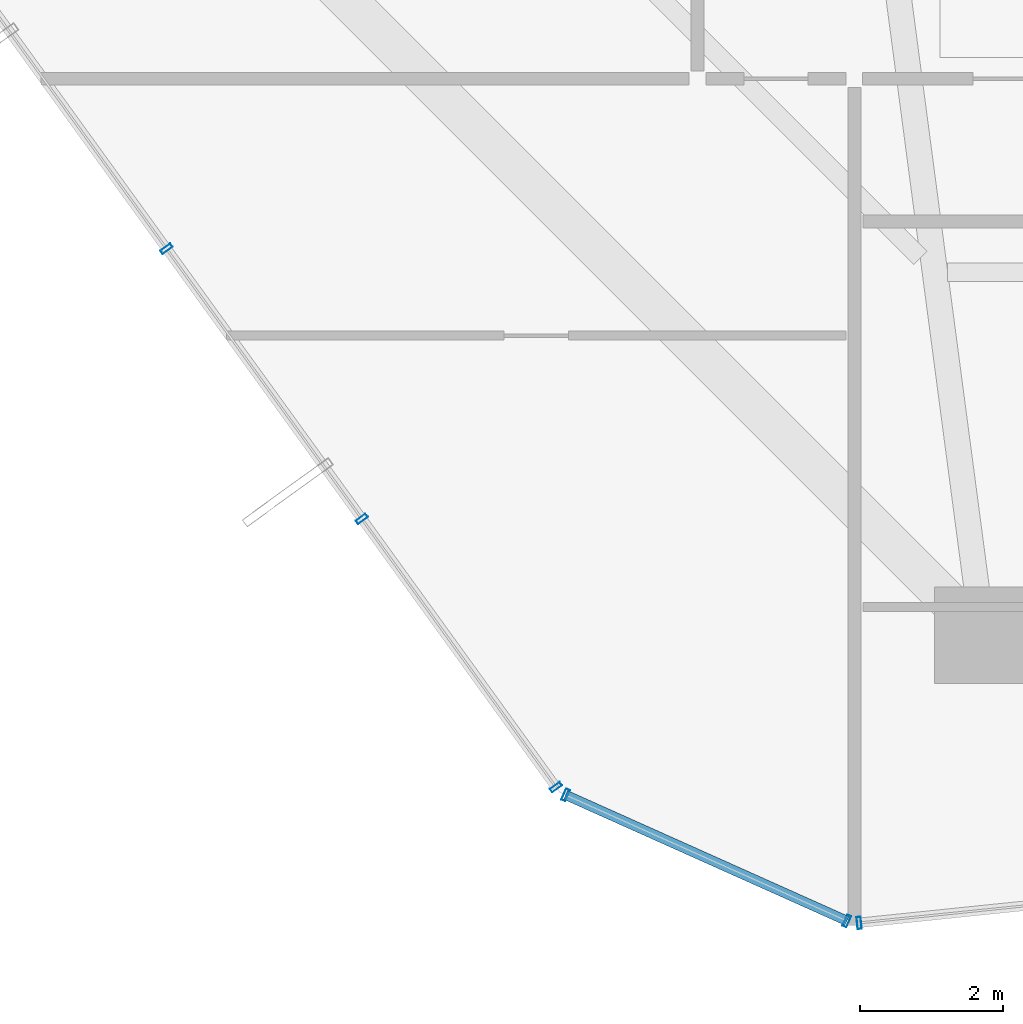
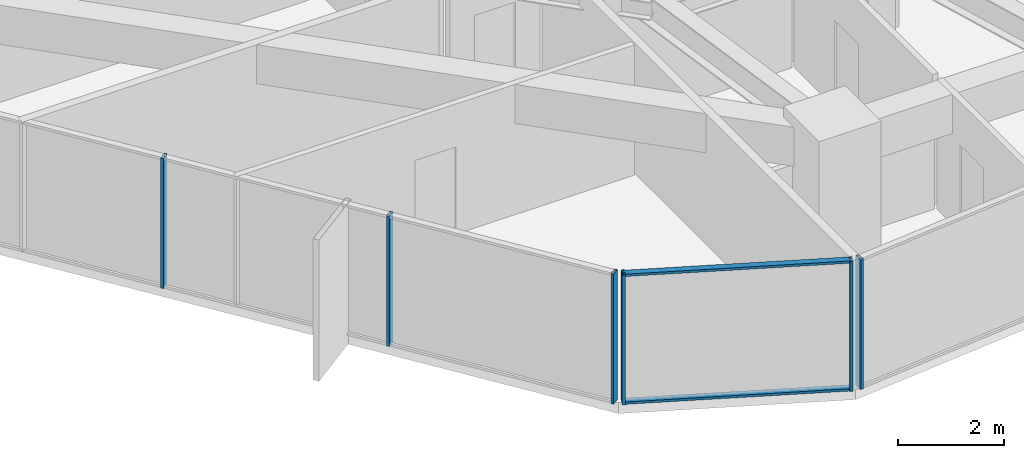
# One storey, part 2 of 37: 8 members, 3 elements without a shape of their own.
"""IFC4 building model written with IfcOpenShell, lengths in metres."""

import ifcopenshell
import ifcopenshell.guid

model = None  # the IFC model being written
_history = None  # IfcOwnerHistory: only IFC2X3 demands one
_inside = {}  # id of a spatial element -> (the spatial element, [elements in it])
_under = {}  # id of a project, library or spatial element -> (it, [spatial elements below it])
_declared = {}  # id of a project -> (the project, [libraries it declares])
_typed = {}  # id of a type object -> (the type object, [elements of that type])
_made_of = {}  # id of a material, layer set ... -> (it, [elements and type objects made of it])


def new_model(schema):
    """Start an empty IFC model of exactly this schema.

    Asked for "IFC4X3", IfcOpenShell would pick the latest addendum, in which some entities
    have other attributes; the version numbers below select the first issue.
    IFC2X3 requires an IfcOwnerHistory on every rooted entity: one is made here for all.
    """
    global model, _history
    if schema == "IFC4X3":
        model = ifcopenshell.file(schema_version=(4, 3, 0, 0))
    else:
        model = ifcopenshell.file(schema=schema)
    _inside.clear()
    _under.clear()
    _declared.clear()
    _typed.clear()
    _made_of.clear()
    _history = None
    if model.schema == "IFC2X3":
        org = make("IfcOrganization", Name="unknown")
        user = make(
            "IfcPersonAndOrganization",
            ThePerson=make("IfcPerson", FamilyName="unknown"),
            TheOrganization=org,
        )
        app = make(
            "IfcApplication",
            ApplicationDeveloper=org,
            Version="unknown",
            ApplicationFullName="unknown",
            ApplicationIdentifier="unknown",
        )
        _history = make(
            "IfcOwnerHistory",
            OwningUser=user,
            OwningApplication=app,
            ChangeAction="ADDED",
            CreationDate=0,
        )
    return model


def make(cls, **values):
    """One entity of the class cls with the attributes given. An attribute that is None is left unset."""
    return model.create_entity(
        cls, **{name: value for name, value in values.items() if value is not None}
    )


def rooted(cls, **values):
    """An entity with a GlobalId (a new one), such as an element, a storey or a relation."""
    return make(cls, GlobalId=ifcopenshell.guid.new(), OwnerHistory=_history, **values)


def si_unit(unit_type, name, prefix=None):
    """IfcSIUnit, for example si_unit("LENGTHUNIT", "METRE", prefix="MILLI")."""
    return make("IfcSIUnit", UnitType=unit_type, Prefix=prefix, Name=name)


def assignment(units):
    """IfcUnitAssignment: the units of a project."""
    return None if units is None else make("IfcUnitAssignment", Units=units)


def point(xyz):
    """IfcCartesianPoint."""
    return None if xyz is None else make("IfcCartesianPoint", Coordinates=xyz)


def direction(xyz):
    """IfcDirection."""
    return None if xyz is None else make("IfcDirection", DirectionRatios=xyz)


def frame(location, z_axis=None, x_axis=None):
    """IfcAxis2Placement3D, a coordinate frame: its origin and axes. An axis left out is left unset."""
    return make(
        "IfcAxis2Placement3D",
        Location=point(location),
        Axis=direction(z_axis),
        RefDirection=direction(x_axis),
    )


def frame_2d(location, x_axis=None):
    """IfcAxis2Placement2D, a coordinate frame in the plane: its origin and x axis."""
    return make(
        "IfcAxis2Placement2D", Location=point(location), RefDirection=direction(x_axis)
    )


def origin():
    """The frame at (0, 0, 0) with its axes left unset."""
    return frame((0.0, 0.0, 0.0))


def origin_2d():
    """The frame at (0, 0) in the plane with its x axis left unset."""
    return frame_2d((0.0, 0.0))


def place(relative_to, where):
    """IfcLocalPlacement: puts the frame where relative to a parent placement (None: the world)."""
    return make(
        "IfcLocalPlacement", PlacementRelTo=relative_to, RelativePlacement=where
    )


def context(
    kind, dimensions, precision=None, world=None, true_north=None, identifier=None
):
    """IfcGeometricRepresentationContext, for example the 3D "Model" context."""
    return make(
        "IfcGeometricRepresentationContext",
        ContextIdentifier=identifier,
        ContextType=kind,
        CoordinateSpaceDimension=dimensions,
        Precision=precision,
        WorldCoordinateSystem=world,
        TrueNorth=true_north,
    )


def subcontext(parent, identifier, kind, view, scale=None):
    """IfcGeometricRepresentationSubContext, for example "Body" below "Model"."""
    return make(
        "IfcGeometricRepresentationSubContext",
        ContextIdentifier=identifier,
        ContextType=kind,
        ParentContext=parent,
        TargetScale=scale,
        TargetView=view,
    )


def project(units=None, contexts=None):
    """IfcProject with its units and contexts."""
    return rooted(
        "IfcProject",
        Name="project",
        RepresentationContexts=contexts,
        UnitsInContext=assignment(units),
    )


def spatial(cls, under=None, at=None, **own):
    """A site, building, storey or space (cls), placed at a placement, below another one or the project."""
    s = rooted(cls, ObjectPlacement=at, **own)
    if under is not None:
        _under.setdefault(under.id(), (under, []))[1].append(s)
    return s


def profile(cls, at=None, kind="AREA", **sizes):
    """A parametric profile (cls). Its sizes go by their IFC names, for example OverallWidth=200.0."""
    return make(cls, ProfileType=kind, Position=at, **sizes)


def hollow_rectangle(**sizes):
    """IfcRectangleHollowProfileDef."""
    return profile("IfcRectangleHollowProfileDef", **sizes)


def extrude(swept, where, along, depth):
    """IfcExtrudedAreaSolid: the profile swept, set in the frame where, extruded along a direction by depth."""
    return make(
        "IfcExtrudedAreaSolid",
        SweptArea=swept,
        Position=where,
        ExtrudedDirection=direction(along),
        Depth=depth,
    )


def shape(context_of_items, identifier, shape_type, items):
    """IfcShapeRepresentation: the items that make up one representation, for example the "Body"."""
    return make(
        "IfcShapeRepresentation",
        ContextOfItems=context_of_items,
        RepresentationIdentifier=identifier,
        RepresentationType=shape_type,
        Items=items,
    )


def source(mapping_origin, context_of_items, identifier, shape_type, items):
    """IfcRepresentationMap: a shape defined once, which mapped items show again and again."""
    return make(
        "IfcRepresentationMap",
        MappingOrigin=mapping_origin,
        MappedRepresentation=shape(context_of_items, identifier, shape_type, items),
    )


def transform(
    local_origin,
    x_axis=None,
    y_axis=None,
    z_axis=None,
    scale=None,
    scale2=None,
    scale3=None,
    uniform=True,
):
    """IfcCartesianTransformationOperator3D, or its non-uniform kind. x_axis, y_axis, z_axis: its Axis1, 2, 3."""
    if uniform:
        return make(
            "IfcCartesianTransformationOperator3D",
            Axis1=direction(x_axis),
            Axis2=direction(y_axis),
            LocalOrigin=point(local_origin),
            Scale=scale,
            Axis3=direction(z_axis),
        )
    return make(
        "IfcCartesianTransformationOperator3DnonUniform",
        Axis1=direction(x_axis),
        Axis2=direction(y_axis),
        LocalOrigin=point(local_origin),
        Scale=scale,
        Axis3=direction(z_axis),
        Scale2=scale2,
        Scale3=scale3,
    )


def mapped(mapping_source, mapping_target):
    """IfcMappedItem: shows the shape of a source again, moved by a transform."""
    return make(
        "IfcMappedItem", MappingSource=mapping_source, MappingTarget=mapping_target
    )


def material(Name=None, Category=None):
    """IfcMaterial."""
    return make("IfcMaterial", Name=Name, Category=Category)


def layer(
    of_material, thickness, ventilated=None, Name=None, Category=None, Priority=None
):
    """IfcMaterialLayer: one layer of a wall or slab, of a material (None: an air gap)."""
    return make(
        "IfcMaterialLayer",
        Material=of_material,
        LayerThickness=thickness,
        IsVentilated=ventilated,
        Name=Name,
        Category=Category,
        Priority=Priority,
    )


def layer_set(layers, Name=None):
    """IfcMaterialLayerSet."""
    return make("IfcMaterialLayerSet", MaterialLayers=layers, LayerSetName=Name)


def material_profile(
    of_material, cross_section, Name=None, Category=None, Priority=None
):
    """IfcMaterialProfile: a cross section and its material."""
    return make(
        "IfcMaterialProfile",
        Name=Name,
        Material=of_material,
        Profile=cross_section,
        Priority=Priority,
        Category=Category,
    )


def profile_set(profiles, Name=None, composite=None):
    """IfcMaterialProfileSet."""
    return make(
        "IfcMaterialProfileSet",
        Name=Name,
        MaterialProfiles=profiles,
        CompositeProfile=composite,
    )


def made_of(thing, what):
    """Note that an element or type object is made of a material, layer set ...; save() writes the relation."""
    if what is not None:
        _made_of.setdefault(what.id(), (what, []))[1].append(thing)
    return thing


def type_object(cls, material=None, **own):
    """A type object (cls), such as IfcWallType, which elements share."""
    return made_of(rooted(cls, **own), material)


def element(
    cls,
    number,
    at=None,
    inside=None,
    cuts=None,
    type_object=None,
    material=None,
    context=None,
    identifier="Body",
    shape_type=None,
    held_by="IfcProductDefinitionShape",
    body=None,
    shapes=None,
    **own,
):
    """One element of the class cls, such as IfcWall. Its Tag is "e" and its number.

    at: its placement. inside: the storey or other place that contains it. cuts: it is an
    opening in that element (IfcRelVoidsElement). A single representation is given by context,
    identifier, shape_type and body (its items); several are given by shapes. held_by: the class
    of the entity that holds the representations. save() writes the other relations.
    """
    e = rooted(cls, Tag="e%d" % number, ObjectPlacement=at, **own)
    if body is not None:
        shapes = [shape(context, identifier, shape_type, body)]
    if shapes is not None:
        e.Representation = make(held_by, Representations=shapes)
    if inside is not None:
        _inside.setdefault(inside.id(), (inside, []))[1].append(e)
    if cuts is not None:
        rooted(
            "IfcRelVoidsElement", RelatingBuildingElement=cuts, RelatedOpeningElement=e
        )
    if type_object is not None:
        _typed.setdefault(type_object.id(), (type_object, []))[1].append(e)
    return made_of(e, material)


def aggregate(whole, parts):
    """IfcRelAggregates: a whole, such as a stair, and the parts it consists of."""
    return rooted("IfcRelAggregates", RelatingObject=whole, RelatedObjects=parts)


def save(model, path):
    """Write the relations noted so far, then the file.

    IfcRelAggregates (storeys below a building ...), IfcRelContainedInSpatialStructure (elements
    in a storey), IfcRelDefinesByType, IfcRelAssociatesMaterial and IfcRelDeclares: one each for
    every whole, place, type object, material and project.
    """
    for whole, parts in _under.values():
        aggregate(whole, parts)
    for where, things in _inside.values():
        rooted(
            "IfcRelContainedInSpatialStructure",
            RelatedElements=things,
            RelatingStructure=where,
        )
    for kind, things in _typed.values():
        rooted("IfcRelDefinesByType", RelatedObjects=things, RelatingType=kind)
    for what, things in _made_of.values():
        rooted("IfcRelAssociatesMaterial", RelatedObjects=things, RelatingMaterial=what)
    for by, libraries in _declared.values():
        rooted("IfcRelDeclares", RelatingContext=by, RelatedDefinitions=libraries)
    model.write(path)


model = new_model("IFC4")

# Units and contexts
model_context = context("Model", 3, precision=1e-05, world=origin(), true_north=direction((0.0, 1.0)))
body_context = subcontext(model_context, "Body", "Model", "MODEL_VIEW")
ifc_project = project(units=[si_unit("LENGTHUNIT", "METRE"), si_unit("AREAUNIT", "SQUARE_METRE"), si_unit("VOLUMEUNIT", "CUBIC_METRE"), si_unit("PLANEANGLEUNIT", "RADIAN"), si_unit("MASSUNIT", "GRAM", prefix="KILO")], contexts=[model_context])

# Site, building, storey
site_placement = place(None, origin())
site = spatial("IfcSite", under=ifc_project, at=site_placement, CompositionType="ELEMENT")
building_placement = place(site_placement, origin())
building = spatial("IfcBuilding", under=site, at=building_placement, Name="Veraguas Prism Commons", CompositionType="ELEMENT")
storey_placement = place(building_placement, frame((0.0, 0.0, 43.550048828125)))
storey = spatial("IfcBuildingStorey", under=building, at=storey_placement, Name="L11", CompositionType="ELEMENT", Elevation=43.550048828125)

# Curtain wall, members
ifc_material = material(Name="Anodised aluminium EN AW-6063 T6", Category="aluminium")
ifc_layer = layer(ifc_material, 0.169921875, Name="Unitised Flush Curtain Wall Zone 1", Category="aluminium")
ifc_layer_set = layer_set([ifc_layer], Name="Anodised aluminium EN AW-6063 T6")
curtain_wall_type = type_object("IfcCurtainWallType", Name="Unitised Flush Curtain Wall Zone 1", PredefinedType="NOTDEFINED", material=ifc_layer_set)
curtain_wall_1_placement = place(storey_placement, origin())
curtain_wall_1 = element("IfcCurtainWall", 1, at=curtain_wall_1_placement, inside=storey, type_object=curtain_wall_type, Name="Chamfer Curtain Wall L11-C5", PredefinedType="NOTDEFINED")
ifc_material_profile_1 = material_profile(ifc_material, hollow_rectangle(XDim=0.054931640625, YDim=0.135009765625, WallThickness=0.0029296875, at=origin_2d()), Name="AL55X135X3")
ifc_profile_set_1 = profile_set([ifc_material_profile_1], Name="Anodised aluminium EN AW-6063 T6")
member_type_1 = type_object("IfcMemberType", Name="Curtain Wall Transom Standard AL 55x135x3", PredefinedType="USERDEFINED", material=ifc_profile_set_1)
shared_shape_1 = source(origin(), body_context, "Body", "SweptSolid", [
    extrude(hollow_rectangle(XDim=0.054931640625, YDim=0.135009765625, WallThickness=0.0029296875, at=origin_2d()), origin(), (0.0, 0.0, 1.0), 4.31982421875),
])
member_1_placement = place(storey_placement, frame((12.751953125, 4.163818359375, 0.02734375), z_axis=(0.912682373037, -0.408669653813, 0.0), x_axis=(0.0, 0.0, 1.0)))
member_1 = element("IfcMember", 2, at=member_1_placement, type_object=member_type_1, Name="CW-Z1 Transom 1", ObjectType="TRANSOM", PredefinedType="USERDEFINED", context=body_context, shape_type="MappedRepresentation", body=[
    mapped(shared_shape_1, transform((0.0, 0.0, 0.0), scale=1.0)),
])
member_2_placement = place(storey_placement, frame((12.751953125, 4.163818359375, 2.972412109375), z_axis=(0.912682373037, -0.408669653813, 0.0), x_axis=(0.0, 0.0, 1.0)))
member_2 = element("IfcMember", 3, at=member_2_placement, type_object=member_type_1, Name="CW-Z1 Transom 2", ObjectType="TRANSOM", PredefinedType="USERDEFINED", context=body_context, shape_type="MappedRepresentation", body=[
    mapped(shared_shape_1, transform((0.0, 0.0, 0.0), scale=1.0)),
])

curtain_wall_2_placement = place(storey_placement, origin())
curtain_wall_2 = element("IfcCurtainWall", 4, at=curtain_wall_2_placement, inside=storey, type_object=curtain_wall_type, Name="Tower Facade Curtain Wall L11-F4", PredefinedType="NOTDEFINED")
ifc_material_profile_2 = material_profile(ifc_material, hollow_rectangle(XDim=0.06005859375, YDim=0.169921875, WallThickness=0.00390625, at=origin_2d()), Name="AL60X170X4")
ifc_profile_set_2 = profile_set([ifc_material_profile_2], Name="Anodised aluminium EN AW-6063 T6")
member_type_2 = type_object("IfcMemberType", Name="Curtain Wall Mullion Lower AL 60x170x4", PredefinedType="MULLION", material=ifc_profile_set_2)
shared_shape_2 = source(origin(), body_context, "Body", "SweptSolid", [
    extrude(hollow_rectangle(XDim=0.06005859375, YDim=0.169921875, WallThickness=0.00390625, at=origin_2d()), origin(), (0.0, 0.0, 1.0), 3.0),
])
member_3_placement = place(storey_placement, frame((7.159423828125, 11.818359375, 0.0), z_axis=(0.0, 0.0, 1.0), x_axis=(0.586086734847, -0.81024831949, 0.0)))
member_3 = element("IfcMember", 5, at=member_3_placement, type_object=member_type_2, Name="CW-Z1 Mullion 3", PredefinedType="MULLION", context=body_context, shape_type="MappedRepresentation", body=[
    mapped(shared_shape_2, transform((0.0, 0.0, 0.0), scale=1.0)),
])
member_4_placement = place(storey_placement, frame((9.89697265625, 8.03369140625, 0.0), z_axis=(0.0, 0.0, 1.0), x_axis=(0.586086734847, -0.81024831949, 0.0)))
member_4 = element("IfcMember", 6, at=member_4_placement, type_object=member_type_2, Name="CW-Z1 Mullion 4", PredefinedType="MULLION", context=body_context, shape_type="MappedRepresentation", body=[
    mapped(shared_shape_2, transform((0.0, 0.0, 0.0), scale=1.0)),
])
member_5_placement = place(storey_placement, frame((12.616943359375, 4.2734375, 0.0), z_axis=(0.0, 0.0, 1.0), x_axis=(0.586086734847, -0.81024831949, 0.0)))
member_5 = element("IfcMember", 7, at=member_5_placement, type_object=member_type_2, Name="CW-Z1 Mullion 5", PredefinedType="MULLION", context=body_context, shape_type="MappedRepresentation", body=[
    mapped(shared_shape_2, transform((0.0, 0.0, 0.0), scale=1.0)),
])
aggregate(curtain_wall_2, [member_3, member_4, member_5])

# Curtain wall, member
curtain_wall_3_placement = place(storey_placement, origin())
curtain_wall_3 = element("IfcCurtainWall", 8, at=curtain_wall_3_placement, inside=storey, type_object=curtain_wall_type, Name="Tower Facade Curtain Wall L11-F5", PredefinedType="NOTDEFINED")
member_6_placement = place(storey_placement, frame((16.866455078125, 2.370849609375, 0.0), z_axis=(0.0, 0.0, 1.0), x_axis=(0.994738459078, 0.102447049893, 0.0)))
member_6 = element("IfcMember", 9, at=member_6_placement, type_object=member_type_2, Name="CW-Z1 Mullion 1", PredefinedType="MULLION", context=body_context, shape_type="MappedRepresentation", body=[
    mapped(shared_shape_2, transform((0.0, 0.0, 0.0), scale=1.0)),
])
aggregate(curtain_wall_3, [member_6])

# Member
member_7_placement = place(storey_placement, frame((12.751953125, 4.163818359375, 0.0), z_axis=(0.0, 0.0, 1.0), x_axis=(0.912686594745, -0.408660225337, 0.0)))
member_7 = element("IfcMember", 10, at=member_7_placement, type_object=member_type_2, Name="CW-Z1 Mullion 1", PredefinedType="MULLION", context=body_context, shape_type="MappedRepresentation", body=[
    mapped(shared_shape_2, transform((0.0, 0.0, 0.0), scale=1.0)),
])

member_8_placement = place(storey_placement, frame((16.694580078125, 2.3984375, 0.0), z_axis=(0.0, 0.0, 1.0), x_axis=(0.912686594745, -0.408660225337, 0.0)))
member_8 = element("IfcMember", 11, at=member_8_placement, type_object=member_type_2, Name="CW-Z1 Mullion 2", PredefinedType="MULLION", context=body_context, shape_type="MappedRepresentation", body=[
    mapped(shared_shape_2, transform((0.0, 0.0, 0.0), scale=1.0)),
])

aggregate(curtain_wall_1, [member_7, member_8, member_1, member_2])

save(model, "model.ifc")
